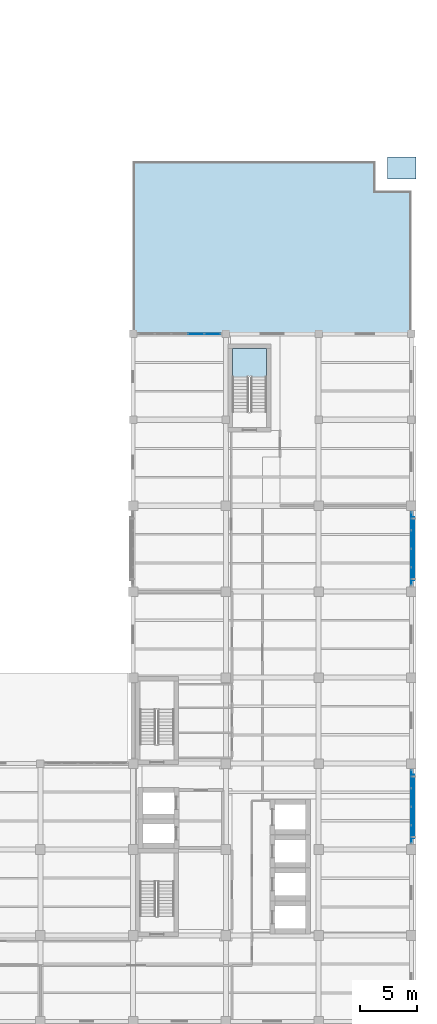
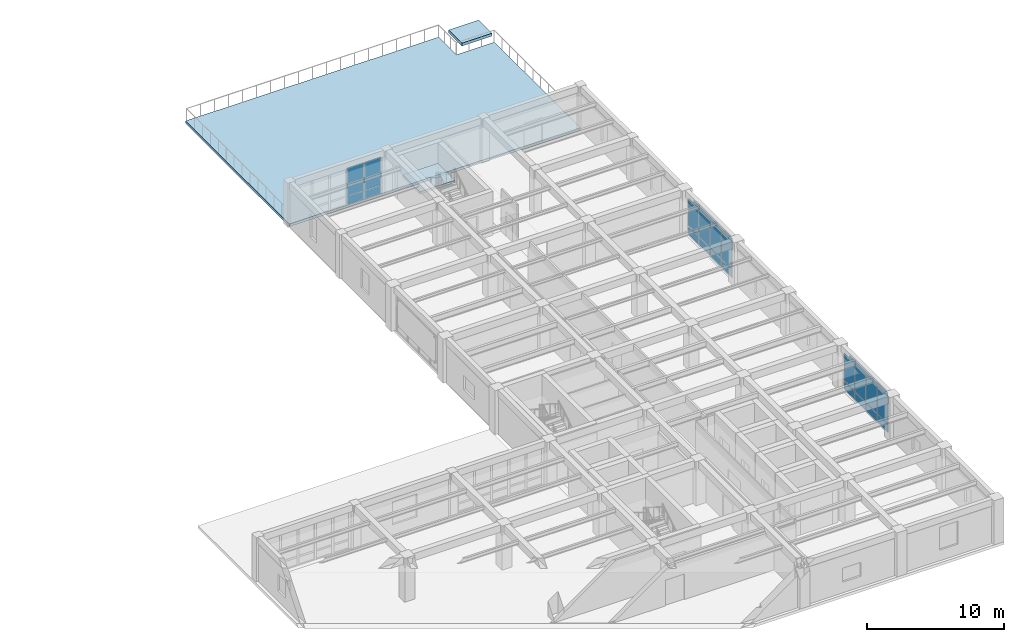
# One storey, part 9 of 22: 22 plates, 3 slabs, 4 elements without a shape of their own.
"""IFC4 building model written with IfcOpenShell, lengths in metres."""

import ifcopenshell
import ifcopenshell.guid

model = None  # the IFC model being written
_history = None  # IfcOwnerHistory: only IFC2X3 demands one
_inside = {}  # id of a spatial element -> (the spatial element, [elements in it])
_under = {}  # id of a project, library or spatial element -> (it, [spatial elements below it])
_declared = {}  # id of a project -> (the project, [libraries it declares])
_typed = {}  # id of a type object -> (the type object, [elements of that type])
_made_of = {}  # id of a material, layer set ... -> (it, [elements and type objects made of it])


def new_model(schema):
    """Start an empty IFC model of exactly this schema.

    Asked for "IFC4X3", IfcOpenShell would pick the latest addendum, in which some entities
    have other attributes; the version numbers below select the first issue.
    IFC2X3 requires an IfcOwnerHistory on every rooted entity: one is made here for all.
    """
    global model, _history
    if schema == "IFC4X3":
        model = ifcopenshell.file(schema_version=(4, 3, 0, 0))
    else:
        model = ifcopenshell.file(schema=schema)
    _inside.clear()
    _under.clear()
    _declared.clear()
    _typed.clear()
    _made_of.clear()
    _history = None
    if model.schema == "IFC2X3":
        org = make("IfcOrganization", Name="unknown")
        user = make(
            "IfcPersonAndOrganization",
            ThePerson=make("IfcPerson", FamilyName="unknown"),
            TheOrganization=org,
        )
        app = make(
            "IfcApplication",
            ApplicationDeveloper=org,
            Version="unknown",
            ApplicationFullName="unknown",
            ApplicationIdentifier="unknown",
        )
        _history = make(
            "IfcOwnerHistory",
            OwningUser=user,
            OwningApplication=app,
            ChangeAction="ADDED",
            CreationDate=0,
        )
    return model


def make(cls, **values):
    """One entity of the class cls with the attributes given. An attribute that is None is left unset."""
    return model.create_entity(
        cls, **{name: value for name, value in values.items() if value is not None}
    )


def rooted(cls, **values):
    """An entity with a GlobalId (a new one), such as an element, a storey or a relation."""
    return make(cls, GlobalId=ifcopenshell.guid.new(), OwnerHistory=_history, **values)


def si_unit(unit_type, name, prefix=None):
    """IfcSIUnit, for example si_unit("LENGTHUNIT", "METRE", prefix="MILLI")."""
    return make("IfcSIUnit", UnitType=unit_type, Prefix=prefix, Name=name)


def assignment(units):
    """IfcUnitAssignment: the units of a project."""
    return None if units is None else make("IfcUnitAssignment", Units=units)


def point(xyz):
    """IfcCartesianPoint."""
    return None if xyz is None else make("IfcCartesianPoint", Coordinates=xyz)


def direction(xyz):
    """IfcDirection."""
    return None if xyz is None else make("IfcDirection", DirectionRatios=xyz)


def frame(location, z_axis=None, x_axis=None):
    """IfcAxis2Placement3D, a coordinate frame: its origin and axes. An axis left out is left unset."""
    return make(
        "IfcAxis2Placement3D",
        Location=point(location),
        Axis=direction(z_axis),
        RefDirection=direction(x_axis),
    )


def frame_2d(location, x_axis=None):
    """IfcAxis2Placement2D, a coordinate frame in the plane: its origin and x axis."""
    return make(
        "IfcAxis2Placement2D", Location=point(location), RefDirection=direction(x_axis)
    )


def origin():
    """The frame at (0, 0, 0) with its axes left unset."""
    return frame((0.0, 0.0, 0.0))


def origin_2d():
    """The frame at (0, 0) in the plane with its x axis left unset."""
    return frame_2d((0.0, 0.0))


def place(relative_to, where):
    """IfcLocalPlacement: puts the frame where relative to a parent placement (None: the world)."""
    return make(
        "IfcLocalPlacement", PlacementRelTo=relative_to, RelativePlacement=where
    )


def context(
    kind, dimensions, precision=None, world=None, true_north=None, identifier=None
):
    """IfcGeometricRepresentationContext, for example the 3D "Model" context."""
    return make(
        "IfcGeometricRepresentationContext",
        ContextIdentifier=identifier,
        ContextType=kind,
        CoordinateSpaceDimension=dimensions,
        Precision=precision,
        WorldCoordinateSystem=world,
        TrueNorth=true_north,
    )


def subcontext(parent, identifier, kind, view, scale=None):
    """IfcGeometricRepresentationSubContext, for example "Body" below "Model"."""
    return make(
        "IfcGeometricRepresentationSubContext",
        ContextIdentifier=identifier,
        ContextType=kind,
        ParentContext=parent,
        TargetScale=scale,
        TargetView=view,
    )


def project(units=None, contexts=None):
    """IfcProject with its units and contexts."""
    return rooted(
        "IfcProject",
        Name="project",
        RepresentationContexts=contexts,
        UnitsInContext=assignment(units),
    )


def spatial(cls, under=None, at=None, **own):
    """A site, building, storey or space (cls), placed at a placement, below another one or the project."""
    s = rooted(cls, ObjectPlacement=at, **own)
    if under is not None:
        _under.setdefault(under.id(), (under, []))[1].append(s)
    return s


def polyline(points):
    """IfcPolyline through the points."""
    return make("IfcPolyline", Points=[point(p) for p in points])


def profile(cls, at=None, kind="AREA", **sizes):
    """A parametric profile (cls). Its sizes go by their IFC names, for example OverallWidth=200.0."""
    return make(cls, ProfileType=kind, Position=at, **sizes)


def rectangle(**sizes):
    """IfcRectangleProfileDef."""
    return profile("IfcRectangleProfileDef", **sizes)


def outline(outer, holes=None, kind="AREA"):
    """IfcArbitraryClosedProfileDef: a profile drawn as a closed curve; with holes, ...WithVoids."""
    if holes is None:
        return make("IfcArbitraryClosedProfileDef", ProfileType=kind, OuterCurve=outer)
    return make(
        "IfcArbitraryProfileDefWithVoids",
        ProfileType=kind,
        OuterCurve=outer,
        InnerCurves=holes,
    )


def extrude(swept, where, along, depth):
    """IfcExtrudedAreaSolid: the profile swept, set in the frame where, extruded along a direction by depth."""
    return make(
        "IfcExtrudedAreaSolid",
        SweptArea=swept,
        Position=where,
        ExtrudedDirection=direction(along),
        Depth=depth,
    )


def shape(context_of_items, identifier, shape_type, items):
    """IfcShapeRepresentation: the items that make up one representation, for example the "Body"."""
    return make(
        "IfcShapeRepresentation",
        ContextOfItems=context_of_items,
        RepresentationIdentifier=identifier,
        RepresentationType=shape_type,
        Items=items,
    )


def material(Name=None, Category=None):
    """IfcMaterial."""
    return make("IfcMaterial", Name=Name, Category=Category)


def layer(
    of_material, thickness, ventilated=None, Name=None, Category=None, Priority=None
):
    """IfcMaterialLayer: one layer of a wall or slab, of a material (None: an air gap)."""
    return make(
        "IfcMaterialLayer",
        Material=of_material,
        LayerThickness=thickness,
        IsVentilated=ventilated,
        Name=Name,
        Category=Category,
        Priority=Priority,
    )


def layer_set(layers, Name=None):
    """IfcMaterialLayerSet."""
    return make("IfcMaterialLayerSet", MaterialLayers=layers, LayerSetName=Name)


def made_of(thing, what):
    """Note that an element or type object is made of a material, layer set ...; save() writes the relation."""
    if what is not None:
        _made_of.setdefault(what.id(), (what, []))[1].append(thing)
    return thing


def type_object(cls, material=None, **own):
    """A type object (cls), such as IfcWallType, which elements share."""
    return made_of(rooted(cls, **own), material)


def element(
    cls,
    number,
    at=None,
    inside=None,
    cuts=None,
    type_object=None,
    material=None,
    context=None,
    identifier="Body",
    shape_type=None,
    held_by="IfcProductDefinitionShape",
    body=None,
    shapes=None,
    **own,
):
    """One element of the class cls, such as IfcWall. Its Tag is "e" and its number.

    at: its placement. inside: the storey or other place that contains it. cuts: it is an
    opening in that element (IfcRelVoidsElement). A single representation is given by context,
    identifier, shape_type and body (its items); several are given by shapes. held_by: the class
    of the entity that holds the representations. save() writes the other relations.
    """
    e = rooted(cls, Tag="e%d" % number, ObjectPlacement=at, **own)
    if body is not None:
        shapes = [shape(context, identifier, shape_type, body)]
    if shapes is not None:
        e.Representation = make(held_by, Representations=shapes)
    if inside is not None:
        _inside.setdefault(inside.id(), (inside, []))[1].append(e)
    if cuts is not None:
        rooted(
            "IfcRelVoidsElement", RelatingBuildingElement=cuts, RelatedOpeningElement=e
        )
    if type_object is not None:
        _typed.setdefault(type_object.id(), (type_object, []))[1].append(e)
    return made_of(e, material)


def aggregate(whole, parts):
    """IfcRelAggregates: a whole, such as a stair, and the parts it consists of."""
    return rooted("IfcRelAggregates", RelatingObject=whole, RelatedObjects=parts)


def save(model, path):
    """Write the relations noted so far, then the file.

    IfcRelAggregates (storeys below a building ...), IfcRelContainedInSpatialStructure (elements
    in a storey), IfcRelDefinesByType, IfcRelAssociatesMaterial and IfcRelDeclares: one each for
    every whole, place, type object, material and project.
    """
    for whole, parts in _under.values():
        aggregate(whole, parts)
    for where, things in _inside.values():
        rooted(
            "IfcRelContainedInSpatialStructure",
            RelatedElements=things,
            RelatingStructure=where,
        )
    for kind, things in _typed.values():
        rooted("IfcRelDefinesByType", RelatedObjects=things, RelatingType=kind)
    for what, things in _made_of.values():
        rooted("IfcRelAssociatesMaterial", RelatedObjects=things, RelatingMaterial=what)
    for by, libraries in _declared.values():
        rooted("IfcRelDeclares", RelatingContext=by, RelatedDefinitions=libraries)
    model.write(path)


model = new_model("IFC4")

# Units and contexts
model_context = context("Model", 3, precision=1e-05, world=origin(), true_north=direction((0.0, 1.0)))
body_context = subcontext(model_context, "Body", "Model", "MODEL_VIEW")
ifc_project = project(units=[si_unit("LENGTHUNIT", "METRE"), si_unit("AREAUNIT", "SQUARE_METRE"), si_unit("VOLUMEUNIT", "CUBIC_METRE"), si_unit("PLANEANGLEUNIT", "RADIAN"), si_unit("MASSUNIT", "GRAM", prefix="KILO")], contexts=[model_context])

# Site, building, storey
site_placement = place(None, origin())
site = spatial("IfcSite", under=ifc_project, at=site_placement, CompositionType="ELEMENT")
building_placement = place(site_placement, origin())
building = spatial("IfcBuilding", under=site, at=building_placement, Name="Qandaris Square Conservatory and Botanical Centre", CompositionType="ELEMENT")
storey_placement = place(building_placement, frame((0.0, 0.0, 19.800048828125)))
storey = spatial("IfcBuildingStorey", under=building, at=storey_placement, Name="L04", CompositionType="ELEMENT", Elevation=19.800048828125)

# Curtain wall, plates
ifc_material_1 = material(Name="Anodised Aluminium", Category="aluminium")
curtain_wall_type_1 = type_object("IfcCurtainWallType", Name="Unitised Curtain Wall CW-4-655x334", PredefinedType="USERDEFINED", material=ifc_material_1)
curtain_wall_1_placement = place(storey_placement, origin())
curtain_wall_1 = element("IfcCurtainWall", 1, at=curtain_wall_1_placement, inside=storey, type_object=curtain_wall_type_1, Name="Curtain Wall CW-TWR-L04-2-3", ObjectType="GLAZED CURTAIN WALL", PredefinedType="USERDEFINED")
ifc_material_2 = material(Name="Tempered Low-E Glass", Category="glass")
ifc_layer_1 = layer(ifc_material_2, 0.035888671875)
ifc_layer_set_1 = layer_set([ifc_layer_1], Name="Tempered Low-E Glass")
plate_type_1 = type_object("IfcPlateType", Name="Double-Glazed Solar Control Vision Unit 36mm", PredefinedType="CURTAIN_PANEL", material=ifc_layer_set_1)
plate_1_placement = place(storey_placement, frame((163.800048828125, 33.159912109375, 0.06494140625), z_axis=(0.0, 0.0, 1.0), x_axis=(0.0, 1.0, 0.0)))
plate_1 = element("IfcPlate", 2, at=plate_1_placement, type_object=plate_type_1, Name="CW-4-655x334 panel 1.1", PredefinedType="CURTAIN_PANEL", context=body_context, shape_type="SweptSolid", body=[
    extrude(rectangle(XDim=1.5400390625, YDim=0.035888671875, at=origin_2d()), origin(), (0.0, 0.0, 1.0), 0.7041015625),
])
plate_2_placement = place(storey_placement, frame((163.800048828125, 33.159912109375, 0.833984375), z_axis=(0.0, 0.0, 1.0), x_axis=(0.0, 1.0, 0.0)))
plate_2 = element("IfcPlate", 3, at=plate_2_placement, type_object=plate_type_1, Name="CW-4-655x334 panel 1.2", PredefinedType="CURTAIN_PANEL", context=body_context, shape_type="SweptSolid", body=[
    extrude(rectangle(XDim=1.5400390625, YDim=0.035888671875, at=origin_2d()), origin(), (0.0, 0.0, 1.0), 2.44091796875),
])
plate_3_placement = place(storey_placement, frame((163.800048828125, 34.78125, 0.06494140625), z_axis=(0.0, 0.0, 1.0), x_axis=(0.0, 1.0, 0.0)))
plate_3 = element("IfcPlate", 4, at=plate_3_placement, type_object=plate_type_1, Name="CW-4-655x334 panel 2.1", PredefinedType="CURTAIN_PANEL", context=body_context, shape_type="SweptSolid", body=[
    extrude(rectangle(XDim=1.572509765625, YDim=0.035888671875, at=origin_2d()), origin(), (0.0, 0.0, 1.0), 0.7041015625),
])
plate_4_placement = place(storey_placement, frame((163.800048828125, 34.78125, 0.833984375), z_axis=(0.0, 0.0, 1.0), x_axis=(0.0, 1.0, 0.0)))
plate_4 = element("IfcPlate", 5, at=plate_4_placement, type_object=plate_type_1, Name="CW-4-655x334 panel 2.2", PredefinedType="CURTAIN_PANEL", context=body_context, shape_type="SweptSolid", body=[
    extrude(rectangle(XDim=1.572509765625, YDim=0.035888671875, at=origin_2d()), origin(), (0.0, 0.0, 1.0), 2.44091796875),
])
plate_5_placement = place(storey_placement, frame((163.800048828125, 36.418701171875, 0.06494140625), z_axis=(0.0, 0.0, 1.0), x_axis=(0.0, 1.0, 0.0)))
plate_5 = element("IfcPlate", 6, at=plate_5_placement, type_object=plate_type_1, Name="CW-4-655x334 panel 3.1", PredefinedType="CURTAIN_PANEL", context=body_context, shape_type="SweptSolid", body=[
    extrude(rectangle(XDim=1.572509765625, YDim=0.035888671875, at=origin_2d()), origin(), (0.0, 0.0, 1.0), 0.7041015625),
])
plate_6_placement = place(storey_placement, frame((163.800048828125, 36.418701171875, 0.833984375), z_axis=(0.0, 0.0, 1.0), x_axis=(0.0, 1.0, 0.0)))
plate_6 = element("IfcPlate", 7, at=plate_6_placement, type_object=plate_type_1, Name="CW-4-655x334 panel 3.2", PredefinedType="CURTAIN_PANEL", context=body_context, shape_type="SweptSolid", body=[
    extrude(rectangle(XDim=1.572509765625, YDim=0.035888671875, at=origin_2d()), origin(), (0.0, 0.0, 1.0), 2.44091796875),
])
plate_7_placement = place(storey_placement, frame((163.800048828125, 38.0400390625, 0.06494140625), z_axis=(0.0, 0.0, 1.0), x_axis=(0.0, 1.0, 0.0)))
plate_7 = element("IfcPlate", 8, at=plate_7_placement, type_object=plate_type_1, Name="CW-4-655x334 panel 4.1", PredefinedType="CURTAIN_PANEL", context=body_context, shape_type="SweptSolid", body=[
    extrude(rectangle(XDim=1.5400390625, YDim=0.035888671875, at=origin_2d()), origin(), (0.0, 0.0, 1.0), 0.7041015625),
])
plate_8_placement = place(storey_placement, frame((163.800048828125, 38.0400390625, 0.833984375), z_axis=(0.0, 0.0, 1.0), x_axis=(0.0, 1.0, 0.0)))
plate_8 = element("IfcPlate", 9, at=plate_8_placement, type_object=plate_type_1, Name="CW-4-655x334 panel 4.2", PredefinedType="CURTAIN_PANEL", context=body_context, shape_type="SweptSolid", body=[
    extrude(rectangle(XDim=1.5400390625, YDim=0.035888671875, at=origin_2d()), origin(), (0.0, 0.0, 1.0), 2.44091796875),
])
aggregate(curtain_wall_1, [plate_1, plate_2, plate_3, plate_4, plate_5, plate_6, plate_7, plate_8])

curtain_wall_2_placement = place(storey_placement, origin())
curtain_wall_2 = element("IfcCurtainWall", 10, at=curtain_wall_2_placement, inside=storey, type_object=curtain_wall_type_1, Name="Curtain Wall CW-TWR-L04-2-6", ObjectType="GLAZED CURTAIN WALL", PredefinedType="USERDEFINED")
plate_9_placement = place(storey_placement, frame((163.800048828125, 55.9599609375, 0.06494140625), z_axis=(0.0, 0.0, 1.0), x_axis=(0.0, 1.0, 0.0)))
plate_9 = element("IfcPlate", 11, at=plate_9_placement, type_object=plate_type_1, Name="CW-4-655x334 panel 1.1", PredefinedType="CURTAIN_PANEL", context=body_context, shape_type="SweptSolid", body=[
    extrude(rectangle(XDim=1.5400390625, YDim=0.035888671875, at=origin_2d()), origin(), (0.0, 0.0, 1.0), 0.7041015625),
])
plate_10_placement = place(storey_placement, frame((163.800048828125, 55.9599609375, 0.833984375), z_axis=(0.0, 0.0, 1.0), x_axis=(0.0, 1.0, 0.0)))
plate_10 = element("IfcPlate", 12, at=plate_10_placement, type_object=plate_type_1, Name="CW-4-655x334 panel 1.2", PredefinedType="CURTAIN_PANEL", context=body_context, shape_type="SweptSolid", body=[
    extrude(rectangle(XDim=1.5400390625, YDim=0.035888671875, at=origin_2d()), origin(), (0.0, 0.0, 1.0), 2.44091796875),
])
plate_11_placement = place(storey_placement, frame((163.800048828125, 57.581298828125, 0.06494140625), z_axis=(0.0, 0.0, 1.0), x_axis=(0.0, 1.0, 0.0)))
plate_11 = element("IfcPlate", 13, at=plate_11_placement, type_object=plate_type_1, Name="CW-4-655x334 panel 2.1", PredefinedType="CURTAIN_PANEL", context=body_context, shape_type="SweptSolid", body=[
    extrude(rectangle(XDim=1.572509765625, YDim=0.035888671875, at=origin_2d()), origin(), (0.0, 0.0, 1.0), 0.7041015625),
])
plate_12_placement = place(storey_placement, frame((163.800048828125, 57.581298828125, 0.833984375), z_axis=(0.0, 0.0, 1.0), x_axis=(0.0, 1.0, 0.0)))
plate_12 = element("IfcPlate", 14, at=plate_12_placement, type_object=plate_type_1, Name="CW-4-655x334 panel 2.2", PredefinedType="CURTAIN_PANEL", context=body_context, shape_type="SweptSolid", body=[
    extrude(rectangle(XDim=1.572509765625, YDim=0.035888671875, at=origin_2d()), origin(), (0.0, 0.0, 1.0), 2.44091796875),
])
plate_13_placement = place(storey_placement, frame((163.800048828125, 59.21875, 0.06494140625), z_axis=(0.0, 0.0, 1.0), x_axis=(0.0, 1.0, 0.0)))
plate_13 = element("IfcPlate", 15, at=plate_13_placement, type_object=plate_type_1, Name="CW-4-655x334 panel 3.1", PredefinedType="CURTAIN_PANEL", context=body_context, shape_type="SweptSolid", body=[
    extrude(rectangle(XDim=1.572509765625, YDim=0.035888671875, at=origin_2d()), origin(), (0.0, 0.0, 1.0), 0.7041015625),
])
plate_14_placement = place(storey_placement, frame((163.800048828125, 59.21875, 0.833984375), z_axis=(0.0, 0.0, 1.0), x_axis=(0.0, 1.0, 0.0)))
plate_14 = element("IfcPlate", 16, at=plate_14_placement, type_object=plate_type_1, Name="CW-4-655x334 panel 3.2", PredefinedType="CURTAIN_PANEL", context=body_context, shape_type="SweptSolid", body=[
    extrude(rectangle(XDim=1.572509765625, YDim=0.035888671875, at=origin_2d()), origin(), (0.0, 0.0, 1.0), 2.44091796875),
])
plate_15_placement = place(storey_placement, frame((163.800048828125, 60.840087890625, 0.06494140625), z_axis=(0.0, 0.0, 1.0), x_axis=(0.0, 1.0, 0.0)))
plate_15 = element("IfcPlate", 17, at=plate_15_placement, type_object=plate_type_1, Name="CW-4-655x334 panel 4.1", PredefinedType="CURTAIN_PANEL", context=body_context, shape_type="SweptSolid", body=[
    extrude(rectangle(XDim=1.5400390625, YDim=0.035888671875, at=origin_2d()), origin(), (0.0, 0.0, 1.0), 0.7041015625),
])
plate_16_placement = place(storey_placement, frame((163.800048828125, 60.840087890625, 0.833984375), z_axis=(0.0, 0.0, 1.0), x_axis=(0.0, 1.0, 0.0)))
plate_16 = element("IfcPlate", 18, at=plate_16_placement, type_object=plate_type_1, Name="CW-4-655x334 panel 4.2", PredefinedType="CURTAIN_PANEL", context=body_context, shape_type="SweptSolid", body=[
    extrude(rectangle(XDim=1.5400390625, YDim=0.035888671875, at=origin_2d()), origin(), (0.0, 0.0, 1.0), 2.44091796875),
])
aggregate(curtain_wall_2, [plate_9, plate_10, plate_11, plate_12, plate_13, plate_14, plate_15, plate_16])

curtain_wall_type_2 = type_object("IfcCurtainWallType", Name="Unitised Curtain Wall CW-3-735x334", PredefinedType="USERDEFINED", material=ifc_material_1)
curtain_wall_3_placement = place(storey_placement, origin())
curtain_wall_3 = element("IfcCurtainWall", 19, at=curtain_wall_3_placement, inside=storey, type_object=curtain_wall_type_2, Name="Curtain Wall CW-TWR-L04-3-3", ObjectType="GLAZED CURTAIN WALL", PredefinedType="USERDEFINED")
plate_17_placement = place(storey_placement, frame((146.2236328125, 77.39990234375, 0.06494140625), z_axis=(0.0, 0.0, 1.0), x_axis=(-1.0, 0.0, 0.0)))
plate_17 = element("IfcPlate", 20, at=plate_17_placement, type_object=plate_type_1, Name="CW-3-735x334 panel 1.1", PredefinedType="CURTAIN_PANEL", context=body_context, shape_type="SweptSolid", body=[
    extrude(rectangle(XDim=1.37255859375, YDim=0.035888671875, at=origin_2d()), origin(), (0.0, 0.0, 1.0), 0.7041015625),
])
plate_18_placement = place(storey_placement, frame((146.2236328125, 77.39990234375, 0.833984375), z_axis=(0.0, 0.0, 1.0), x_axis=(-1.0, 0.0, 0.0)))
plate_18 = element("IfcPlate", 21, at=plate_18_placement, type_object=plate_type_1, Name="CW-3-735x334 panel 1.2", PredefinedType="CURTAIN_PANEL", context=body_context, shape_type="SweptSolid", body=[
    extrude(rectangle(XDim=1.37255859375, YDim=0.035888671875, at=origin_2d()), origin(), (0.0, 0.0, 1.0), 2.44091796875),
])
plate_19_placement = place(storey_placement, frame((144.77001953125, 77.39990234375, 0.06494140625), z_axis=(0.0, 0.0, 1.0), x_axis=(-1.0, 0.0, 0.0)))
plate_19 = element("IfcPlate", 22, at=plate_19_placement, type_object=plate_type_1, Name="CW-3-735x334 panel 2.1", PredefinedType="CURTAIN_PANEL", context=body_context, shape_type="SweptSolid", body=[
    extrude(rectangle(XDim=1.405029296875, YDim=0.035888671875, at=origin_2d()), origin(), (0.0, 0.0, 1.0), 0.7041015625),
])
plate_20_placement = place(storey_placement, frame((144.77001953125, 77.39990234375, 0.833984375), z_axis=(0.0, 0.0, 1.0), x_axis=(-1.0, 0.0, 0.0)))
plate_20 = element("IfcPlate", 23, at=plate_20_placement, type_object=plate_type_1, Name="CW-3-735x334 panel 2.2", PredefinedType="CURTAIN_PANEL", context=body_context, shape_type="SweptSolid", body=[
    extrude(rectangle(XDim=1.405029296875, YDim=0.035888671875, at=origin_2d()), origin(), (0.0, 0.0, 1.0), 2.44091796875),
])
aggregate(curtain_wall_3, [plate_17, plate_18, plate_19, plate_20])

# Plates
ifc_material_3 = material(Name="Weathering Bronze Alloy", Category="metal")
ifc_layer_2 = layer(ifc_material_3, 0.044921875)
ifc_layer_set_2 = layer_set([ifc_layer_2], Name="Weathering Bronze Alloy")
plate_type_2 = type_object("IfcPlateType", Name="Perforated Bronze Mashrabiya Solar Screen Panel", PredefinedType="USERDEFINED", material=ifc_layer_set_2)
for number, where, z_axis, x_axis, name in (
    (24, (164.02001953125, 35.60009765625, 0.83154296875), (0.0, 0.0, 1.0), (0.0, 1.0, 0.0), "Mashrabiya Solar Screen CW-TWR-L04-2-3"),
    (25, (164.02001953125, 58.39990234375, 0.83154296875), (0.0, 0.0, 1.0), (0.0, 1.0, 0.0), "Mashrabiya Solar Screen CW-TWR-L04-2-6"),
):
    element("IfcPlate", number, at=place(storey_placement, frame(where, z_axis=z_axis, x_axis=x_axis)), inside=storey, type_object=plate_type_2, Name=name, ObjectType="SOLAR SCREEN", PredefinedType="USERDEFINED", context=body_context, shape_type="SweptSolid", body=[
        extrude(rectangle(XDim=5.590087890625, YDim=0.044921875, at=origin_2d()), origin(), (0.0, 0.0, 1.0), 2.41845703125),
    ])

# Slabs
ifc_material_4 = material(Name="Concrete C40/50", Category="concrete")
ifc_layer_3 = layer(ifc_material_4, 0.22998046875)
ifc_layer_set_3 = layer_set([ifc_layer_3], Name="Concrete C40/50")
slab_type_1 = type_object("IfcSlabType", Name="RC Exterior Terrace Slab 230mm", PredefinedType="FLOOR", material=ifc_layer_set_3)
slab_1_placement = place(storey_placement, frame((0.0, 0.0, -0.22998046875)))
element("IfcSlab", 26, at=slab_1_placement, inside=storey, type_object=slab_type_1, Name="Herbarium Roof Botanical Terrace L04", PredefinedType="FLOOR", context=body_context, shape_type="SweptSolid", body=[
    extrude(outline(polyline([(163.800048828125, 77.39990234375), (139.199951171875, 77.39990234375), (139.199951171875, 92.60009765625), (160.60009765625, 92.60009765625), (160.60009765625, 90.0), (163.800048828125, 90.0), (163.800048828125, 77.39990234375)])), origin(), (0.0, 0.0, 1.0), 0.22998046875),
])
ifc_layer_4 = layer(ifc_material_4, 0.2548828125)
ifc_layer_set_4 = layer_set([ifc_layer_4], Name="Concrete C40/50")
slab_type_2 = type_object("IfcSlabType", Name="RC Flat Roof Slab 255mm", PredefinedType="ROOF", material=ifc_layer_set_4)
slab_2_placement = place(storey_placement, frame((0.0, 0.0, -0.255126953125)))
element("IfcSlab", 27, at=slab_2_placement, inside=storey, type_object=slab_type_2, Name="Step-Back Flat Roof Slab L04-2", PredefinedType="ROOF", context=body_context, shape_type="SweptSolid", body=[
    extrude(outline(polyline([(164.219970703125, 91.070068359375), (161.669921875, 91.070068359375), (161.669921875, 93.02001953125), (164.219970703125, 93.02001953125), (164.219970703125, 91.070068359375)])), origin(), (0.0, 0.0, 1.0), 0.255126953125),
])

# Stair, slab
stair_type = type_object("IfcStairType", Name="Core Escape Scissor Stair", PredefinedType="HALF_TURN_STAIR", material=ifc_material_4)
stair_placement = place(storey_placement, origin())
stair = element("IfcStair", 28, at=stair_placement, inside=storey, type_object=stair_type, Name="L04 Herbarium North Exit Stair ST-3", PredefinedType="HALF_TURN_STAIR")
ifc_layer_5 = layer(ifc_material_4, 0.219970703125)
ifc_layer_set_5 = layer_set([ifc_layer_5], Name="Concrete C40/50")
slab_type_3 = type_object("IfcSlabType", Name="RC Stair Half-Landing Slab 220mm", PredefinedType="LANDING", material=ifc_layer_set_5)
slab_3_placement = place(storey_placement, frame((0.0, 0.0, 1.89990234375)))
slab_3 = element("IfcSlab", 29, at=slab_3_placement, type_object=slab_type_3, Name="ST-3 landing 1", PredefinedType="LANDING", context=body_context, shape_type="SweptSolid", body=[
    extrude(outline(polyline([(151.0, 73.580078125), (151.0, 76.10009765625), (148.0, 76.10009765625), (148.0, 73.580078125), (151.0, 73.580078125)])), origin(), (0.0, 0.0, 1.0), 0.199951171875),
])
aggregate(stair, [slab_3])

save(model, "model.ifc")
